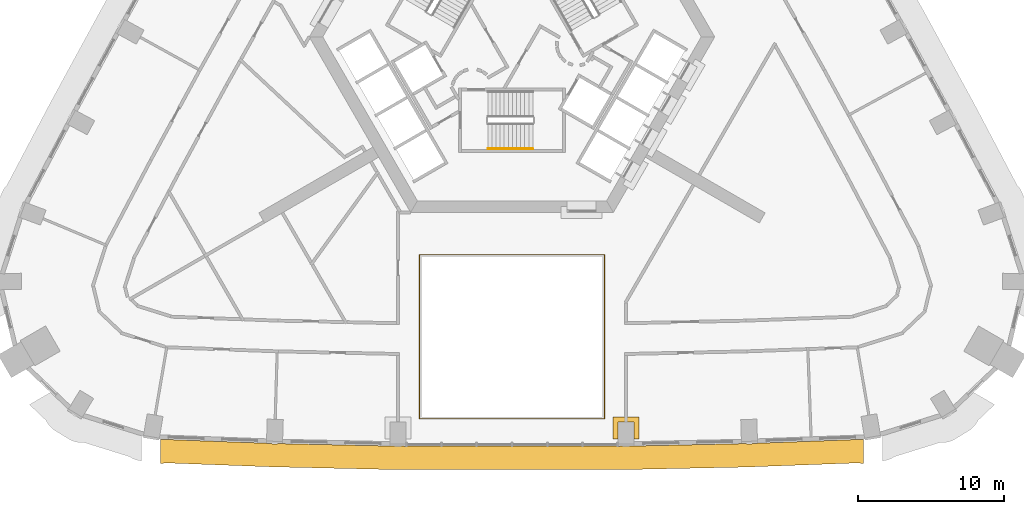
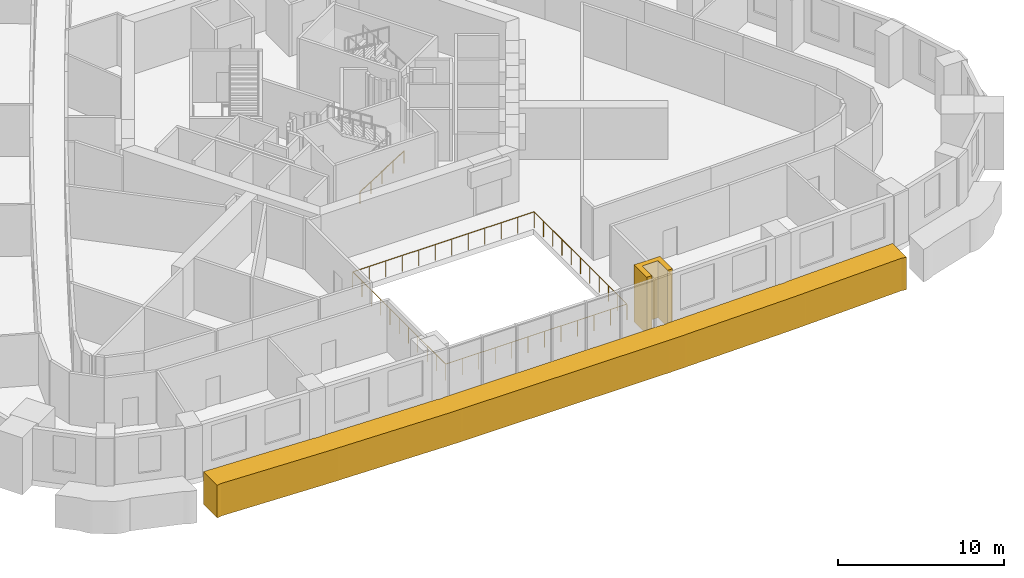
# One storey, part 13 of 17: 2 coverings, 2 railings.
"""IFC4 building model written with IfcOpenShell, lengths in metres."""

from ifc_helpers import new_model, si_unit, direction, frame, origin, origin_2d, place, context, subcontext, project, spatial, polyline, circle, outline, extrude, material, type_object, element, save


model = new_model("IFC4")

# Units and contexts
model_context = context("Model", 3, precision=1e-05, world=origin(), true_north=direction((0.0, 1.0)))
body_context = subcontext(model_context, "Body", "Model", "MODEL_VIEW")
ifc_project = project(units=[si_unit("LENGTHUNIT", "METRE"), si_unit("AREAUNIT", "SQUARE_METRE"), si_unit("VOLUMEUNIT", "CUBIC_METRE"), si_unit("PLANEANGLEUNIT", "RADIAN"), si_unit("MASSUNIT", "GRAM", prefix="KILO")], contexts=[model_context])

# Site, building, storey
site_placement = place(None, origin())
site = spatial("IfcSite", under=ifc_project, at=site_placement, CompositionType="ELEMENT")
building_placement = place(site_placement, origin())
building = spatial("IfcBuilding", under=site, at=building_placement, Name="Entoto Arch Interchange Tower", CompositionType="ELEMENT")
storey_placement = place(building_placement, frame((0.0, 0.0, 167.60009765625)))
storey = spatial("IfcBuildingStorey", under=building, at=storey_placement, Name="L37", CompositionType="ELEMENT", Elevation=167.60009765625)

# Railing
ifc_material_1 = material(Name="Stainless steel 1.4301", Category="steel")
railing_type_1 = type_object("IfcRailingType", Name="ATRIUM GUARD 1200 STEEL AND GLASS", PredefinedType="GUARDRAIL", material=ifc_material_1)
railing_1_placement = place(storey_placement, frame((6.320068359375, -23.593017578125, 0.0)))
element("IfcRailing", 1, at=railing_1_placement, inside=storey, type_object=railing_type_1, Name="Atrium guard L37", PredefinedType="GUARDRAIL", context=body_context, shape_type="SweptSolid", body=[
    extrude(circle(Radius=0.02392578125, at=origin_2d()), frame((0.0, 0.0, 1.17578125), z_axis=(-1.0, 0.0, 0.0), x_axis=(0.0, -1.0, 0.0)), (0.0, 0.0, 1.0), 12.64013671875),
    extrude(circle(Radius=0.02392578125, at=origin_2d()), frame((-12.64013671875, 0.0, 1.17578125), z_axis=(0.0, 1.0, 0.0), x_axis=(-1.0, 0.0, 0.0)), (0.0, 0.0, 1.0), 11.213134765625),
    extrude(circle(Radius=0.02392578125, at=origin_2d()), frame((-12.64013671875, 11.213134765625, 1.17578125), z_axis=(1.0, 0.0, 0.0), x_axis=(0.0, 1.0, 0.0)), (0.0, 0.0, 1.0), 12.64013671875),
    extrude(circle(Radius=0.02392578125, at=origin_2d()), frame((0.0, 11.213134765625, 1.17578125), z_axis=(0.0, -1.0, 0.0), x_axis=(1.0, 0.0, 0.0)), (0.0, 0.0, 1.0), 11.213134765625),
    extrude(circle(Radius=0.02099609375, at=origin_2d()), origin(), (0.0, 0.0, 1.0), 1.15185546875),
    extrude(circle(Radius=0.02099609375, at=origin_2d()), frame((-1.149169921875, 0.0, 0.0)), (0.0, 0.0, 1.0), 1.15185546875),
    extrude(circle(Radius=0.02099609375, at=origin_2d()), frame((-2.298095703125, 0.0, 0.0)), (0.0, 0.0, 1.0), 1.15185546875),
    extrude(circle(Radius=0.02099609375, at=origin_2d()), frame((-3.447265625, 0.0, 0.0)), (0.0, 0.0, 1.0), 1.15185546875),
    extrude(circle(Radius=0.02099609375, at=origin_2d()), frame((-4.596435546875, 0.0, 0.0)), (0.0, 0.0, 1.0), 1.15185546875),
    extrude(circle(Radius=0.02099609375, at=origin_2d()), frame((-5.74560546875, 0.0, 0.0)), (0.0, 0.0, 1.0), 1.15185546875),
    extrude(circle(Radius=0.02099609375, at=origin_2d()), frame((-6.89453125, 0.0, 0.0)), (0.0, 0.0, 1.0), 1.15185546875),
    extrude(circle(Radius=0.02099609375, at=origin_2d()), frame((-8.043701171875, 0.0, 0.0)), (0.0, 0.0, 1.0), 1.15185546875),
    extrude(circle(Radius=0.02099609375, at=origin_2d()), frame((-9.19287109375, 0.0, 0.0)), (0.0, 0.0, 1.0), 1.15185546875),
    extrude(circle(Radius=0.02099609375, at=origin_2d()), frame((-10.342041015625, 0.0, 0.0)), (0.0, 0.0, 1.0), 1.15185546875),
    extrude(circle(Radius=0.02099609375, at=origin_2d()), frame((-11.490966796875, 0.0, 0.0)), (0.0, 0.0, 1.0), 1.15185546875),
    extrude(circle(Radius=0.02099609375, at=origin_2d()), frame((-12.64013671875, 0.0, 0.0)), (0.0, 0.0, 1.0), 1.15185546875),
    extrude(circle(Radius=0.02099609375, at=origin_2d()), frame((-12.64013671875, 1.121337890625, 0.0)), (0.0, 0.0, 1.0), 1.15185546875),
    extrude(circle(Radius=0.02099609375, at=origin_2d()), frame((-12.64013671875, 2.24267578125, 0.0)), (0.0, 0.0, 1.0), 1.15185546875),
    extrude(circle(Radius=0.02099609375, at=origin_2d()), frame((-12.64013671875, 3.364013671875, 0.0)), (0.0, 0.0, 1.0), 1.15185546875),
    extrude(circle(Radius=0.02099609375, at=origin_2d()), frame((-12.64013671875, 4.4853515625, 0.0)), (0.0, 0.0, 1.0), 1.15185546875),
    extrude(circle(Radius=0.02099609375, at=origin_2d()), frame((-12.64013671875, 5.6064453125, 0.0)), (0.0, 0.0, 1.0), 1.15185546875),
    extrude(circle(Radius=0.02099609375, at=origin_2d()), frame((-12.64013671875, 6.727783203125, 0.0)), (0.0, 0.0, 1.0), 1.15185546875),
    extrude(circle(Radius=0.02099609375, at=origin_2d()), frame((-12.64013671875, 7.84912109375, 0.0)), (0.0, 0.0, 1.0), 1.15185546875),
    extrude(circle(Radius=0.02099609375, at=origin_2d()), frame((-12.64013671875, 8.970458984375, 0.0)), (0.0, 0.0, 1.0), 1.15185546875),
    extrude(circle(Radius=0.02099609375, at=origin_2d()), frame((-12.64013671875, 10.091796875, 0.0)), (0.0, 0.0, 1.0), 1.15185546875),
    extrude(circle(Radius=0.02099609375, at=origin_2d()), frame((-12.64013671875, 11.213134765625, 0.0)), (0.0, 0.0, 1.0), 1.15185546875),
    extrude(circle(Radius=0.02099609375, at=origin_2d()), frame((-11.490966796875, 11.213134765625, 0.0)), (0.0, 0.0, 1.0), 1.15185546875),
    extrude(circle(Radius=0.02099609375, at=origin_2d()), frame((-10.342041015625, 11.213134765625, 0.0)), (0.0, 0.0, 1.0), 1.15185546875),
    extrude(circle(Radius=0.02099609375, at=origin_2d()), frame((-9.19287109375, 11.213134765625, 0.0)), (0.0, 0.0, 1.0), 1.15185546875),
    extrude(circle(Radius=0.02099609375, at=origin_2d()), frame((-8.043701171875, 11.213134765625, 0.0)), (0.0, 0.0, 1.0), 1.15185546875),
    extrude(circle(Radius=0.02099609375, at=origin_2d()), frame((-6.89453125, 11.213134765625, 0.0)), (0.0, 0.0, 1.0), 1.15185546875),
    extrude(circle(Radius=0.02099609375, at=origin_2d()), frame((-5.74560546875, 11.213134765625, 0.0)), (0.0, 0.0, 1.0), 1.15185546875),
    extrude(circle(Radius=0.02099609375, at=origin_2d()), frame((-4.596435546875, 11.213134765625, 0.0)), (0.0, 0.0, 1.0), 1.15185546875),
    extrude(circle(Radius=0.02099609375, at=origin_2d()), frame((-3.447265625, 11.213134765625, 0.0)), (0.0, 0.0, 1.0), 1.15185546875),
    extrude(circle(Radius=0.02099609375, at=origin_2d()), frame((-2.298095703125, 11.213134765625, 0.0)), (0.0, 0.0, 1.0), 1.15185546875),
    extrude(circle(Radius=0.02099609375, at=origin_2d()), frame((-1.149169921875, 11.213134765625, 0.0)), (0.0, 0.0, 1.0), 1.15185546875),
    extrude(circle(Radius=0.02099609375, at=origin_2d()), frame((0.0, 11.213134765625, 0.0)), (0.0, 0.0, 1.0), 1.15185546875),
    extrude(circle(Radius=0.02099609375, at=origin_2d()), frame((0.0, 10.091796875, 0.0)), (0.0, 0.0, 1.0), 1.15185546875),
    extrude(circle(Radius=0.02099609375, at=origin_2d()), frame((0.0, 8.970458984375, 0.0)), (0.0, 0.0, 1.0), 1.15185546875),
    extrude(circle(Radius=0.02099609375, at=origin_2d()), frame((0.0, 7.84912109375, 0.0)), (0.0, 0.0, 1.0), 1.15185546875),
    extrude(circle(Radius=0.02099609375, at=origin_2d()), frame((0.0, 6.727783203125, 0.0)), (0.0, 0.0, 1.0), 1.15185546875),
    extrude(circle(Radius=0.02099609375, at=origin_2d()), frame((0.0, 5.6064453125, 0.0)), (0.0, 0.0, 1.0), 1.15185546875),
    extrude(circle(Radius=0.02099609375, at=origin_2d()), frame((0.0, 4.4853515625, 0.0)), (0.0, 0.0, 1.0), 1.15185546875),
    extrude(circle(Radius=0.02099609375, at=origin_2d()), frame((0.0, 3.364013671875, 0.0)), (0.0, 0.0, 1.0), 1.15185546875),
    extrude(circle(Radius=0.02099609375, at=origin_2d()), frame((0.0, 2.24267578125, 0.0)), (0.0, 0.0, 1.0), 1.15185546875),
    extrude(circle(Radius=0.02099609375, at=origin_2d()), frame((0.0, 1.121337890625, 0.0)), (0.0, 0.0, 1.0), 1.15185546875),
])

# Coverings
ifc_material_2 = material(Name="Board-marked precast concrete C50/60", Category="concrete")
covering_type = type_object("IfcCoveringType", Name="PRECAST FRAME COURSE", PredefinedType="CLADDING", material=ifc_material_2)
covering_1_placement = place(storey_placement, frame((0.0, 0.0, -0.400146484375)))
element("IfcCovering", 2, at=covering_1_placement, inside=storey, type_object=covering_type, Name="Gate pier L37", PredefinedType="CLADDING", context=body_context, shape_type="SweptSolid", body=[
    extrude(outline(polyline([(6.888916015625, -23.472900390625), (8.68896484375, -23.472900390625), (8.68896484375, -24.9990234375), (8.339111328125, -24.9990234375), (8.339111328125, -23.822998046875), (7.239013671875, -23.822998046875), (7.239013671875, -24.9990234375), (6.888916015625, -24.9990234375), (6.888916015625, -23.472900390625)])), origin(), (0.0, 0.0, 1.0), 4.199951171875),
])
covering_2_placement = place(storey_placement, frame((0.0, 0.0, -2.10009765625)))
element("IfcCovering", 3, at=covering_2_placement, inside=storey, type_object=covering_type, Name="Slab edge fin L37", PredefinedType="CLADDING", context=body_context, shape_type="SweptSolid", body=[
    extrude(outline(polyline([(23.927001953125, -26.656982421875), (23.77197265625, -26.6298828125), (23.714111328125, -26.614013671875), (16.90087890625, -26.865966796875), (16.8349609375, -26.8720703125), (16.284912109375, -26.888916015625), (15.735107421875, -26.906982421875), (15.718017578125, -26.906982421875), (8.50390625, -27.05810546875), (8.368896484375, -27.06591796875), (7.819091796875, -27.072998046875), (7.26904296875, -27.0791015625), (7.2490234375, -27.0791015625), (-7.10888671875, -27.072998046875), (-7.112060546875, -27.072998046875), (-7.26904296875, -27.0791015625), (-7.819091796875, -27.072998046875), (-8.368896484375, -27.06591796875), (-8.385986328125, -27.06591796875), (-15.597900390625, -26.904052734375), (-15.735107421875, -26.906982421875), (-16.284912109375, -26.888916015625), (-16.8349609375, -26.8720703125), (-16.843994140625, -26.87109375), (-23.715087890625, -26.614013671875), (-23.77197265625, -26.6298828125), (-23.927001953125, -26.656982421875), (-24.01904296875, -26.6640625), (-24.01904296875, -25.0009765625), (-16.783935546875, -25.27001953125), (-16.783935546875, -25.27294921875), (-16.48388671875, -25.281982421875), (-16.47607421875, -25.284912109375), (-16.386962890625, -25.306884765625), (-16.297119140625, -25.321044921875), (-16.205078125, -25.324951171875), (-16.113037109375, -25.321044921875), (-16.02294921875, -25.306884765625), (-15.986083984375, -25.298095703125), (-15.68408203125, -25.306884765625), (-15.68408203125, -25.302001953125), (-8.35009765625, -25.4609375), (-8.35009765625, -25.467041015625), (-8.051025390625, -25.469970703125), (-7.970947265625, -25.489990234375), (-7.881103515625, -25.50390625), (-7.7890625, -25.508056640625), (-7.697021484375, -25.50390625), (-7.60693359375, -25.489990234375), (-7.550048828125, -25.47607421875), (-7.25, -25.47900390625), (-7.25, -25.472900390625), (7.25, -25.472900390625), (7.25, -25.47900390625), (7.550048828125, -25.47607421875), (7.60693359375, -25.489990234375), (7.697021484375, -25.50390625), (7.7890625, -25.508056640625), (7.881103515625, -25.50390625), (7.970947265625, -25.489990234375), (8.051025390625, -25.469970703125), (8.35009765625, -25.467041015625), (8.35009765625, -25.4609375), (15.68408203125, -25.302001953125), (15.68408203125, -25.306884765625), (15.986083984375, -25.298095703125), (16.02294921875, -25.306884765625), (16.113037109375, -25.321044921875), (16.205078125, -25.324951171875), (16.297119140625, -25.321044921875), (16.386962890625, -25.306884765625), (16.47607421875, -25.284912109375), (16.48388671875, -25.281982421875), (16.783935546875, -25.27294921875), (16.783935546875, -25.27001953125), (24.01904296875, -25.0009765625), (24.01904296875, -26.6640625), (23.927001953125, -26.656982421875)])), origin(), (0.0, 0.0, 1.0), 2.39990234375),
])

# Railing
railing_type_2 = type_object("IfcRailingType", Name="STAIR HANDRAIL 900 STEEL", PredefinedType="HANDRAIL", material=ifc_material_1)
railing_2_placement = place(storey_placement, frame((-1.64990234375, -5.14990234375, 0.1748046875)))
element("IfcRailing", 4, at=railing_2_placement, inside=storey, type_object=railing_type_2, Name="L37 ST-S stair handrail 1", PredefinedType="HANDRAIL", context=body_context, shape_type="SweptSolid", body=[
    extrude(circle(Radius=0.02392578125, at=origin_2d()), frame((0.0, 0.0, 0.8759765625), z_axis=(0.847979421464, 0.0, 0.530029150871), x_axis=(0.0, 1.0, 0.0)), (0.0, 0.0, 1.0), 3.632080078125),
    extrude(circle(Radius=0.02099609375, at=origin_2d()), origin(), (0.0, 0.0, 1.0), 0.851806640625),
    extrude(circle(Radius=0.02099609375, at=origin_2d()), frame((0.77001953125, 0.0, 0.481201171875)), (0.0, 0.0, 1.0), 0.851806640625),
    extrude(circle(Radius=0.02099609375, at=origin_2d()), frame((1.5400390625, 0.0, 0.96240234375)), (0.0, 0.0, 1.0), 0.851806640625),
    extrude(circle(Radius=0.02099609375, at=origin_2d()), frame((2.309814453125, 0.0, 1.44384765625)), (0.0, 0.0, 1.0), 0.851806640625),
    extrude(circle(Radius=0.02099609375, at=origin_2d()), frame((3.079833984375, 0.0, 1.925048828125)), (0.0, 0.0, 1.0), 0.851806640625),
])

save(model, "model.ifc")
